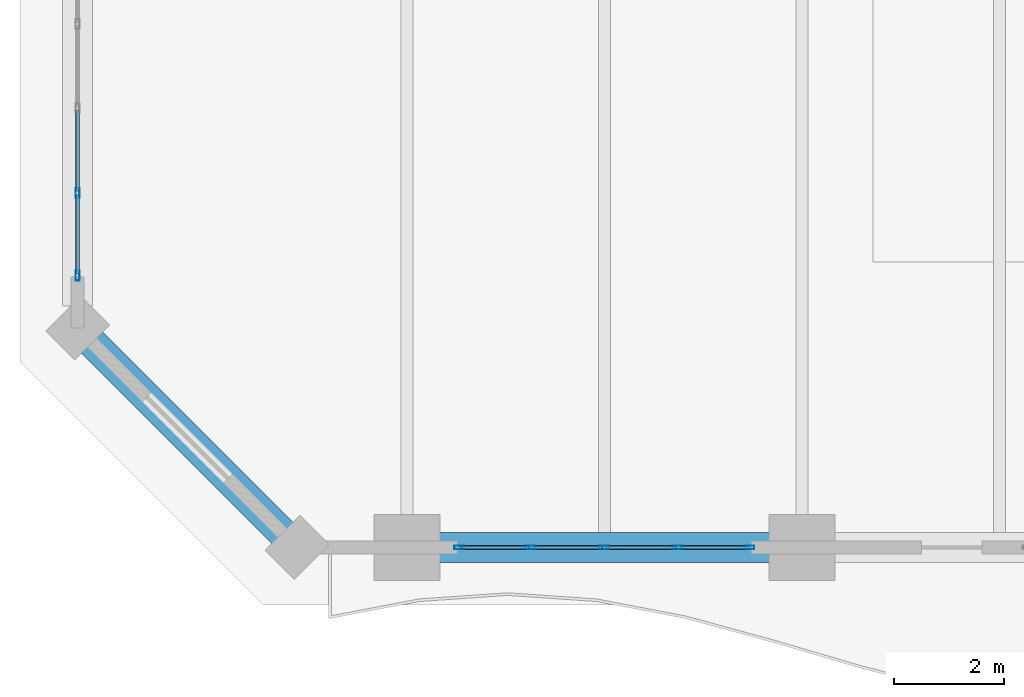
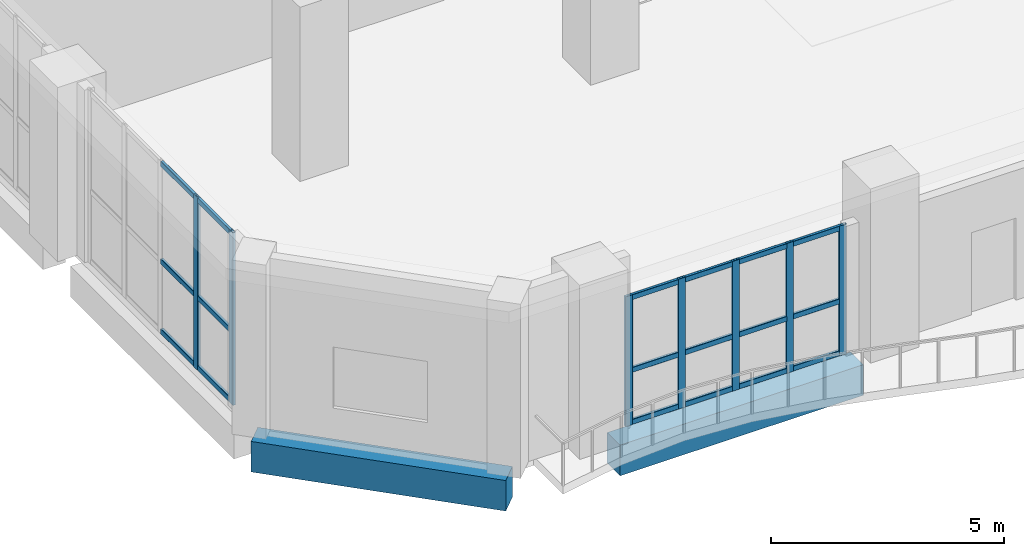
# One storey, part 2 of 37: 25 members, 2 beams, 2 elements without a shape of their own.
"""IFC4 building model written with IfcOpenShell, lengths in metres."""

import ifcopenshell
import ifcopenshell.guid

model = None  # the IFC model being written
_history = None  # IfcOwnerHistory: only IFC2X3 demands one
_inside = {}  # id of a spatial element -> (the spatial element, [elements in it])
_under = {}  # id of a project, library or spatial element -> (it, [spatial elements below it])
_declared = {}  # id of a project -> (the project, [libraries it declares])
_typed = {}  # id of a type object -> (the type object, [elements of that type])
_made_of = {}  # id of a material, layer set ... -> (it, [elements and type objects made of it])


def new_model(schema):
    """Start an empty IFC model of exactly this schema.

    Asked for "IFC4X3", IfcOpenShell would pick the latest addendum, in which some entities
    have other attributes; the version numbers below select the first issue.
    IFC2X3 requires an IfcOwnerHistory on every rooted entity: one is made here for all.
    """
    global model, _history
    if schema == "IFC4X3":
        model = ifcopenshell.file(schema_version=(4, 3, 0, 0))
    else:
        model = ifcopenshell.file(schema=schema)
    _inside.clear()
    _under.clear()
    _declared.clear()
    _typed.clear()
    _made_of.clear()
    _history = None
    if model.schema == "IFC2X3":
        org = make("IfcOrganization", Name="unknown")
        user = make(
            "IfcPersonAndOrganization",
            ThePerson=make("IfcPerson", FamilyName="unknown"),
            TheOrganization=org,
        )
        app = make(
            "IfcApplication",
            ApplicationDeveloper=org,
            Version="unknown",
            ApplicationFullName="unknown",
            ApplicationIdentifier="unknown",
        )
        _history = make(
            "IfcOwnerHistory",
            OwningUser=user,
            OwningApplication=app,
            ChangeAction="ADDED",
            CreationDate=0,
        )
    return model


def make(cls, **values):
    """One entity of the class cls with the attributes given. An attribute that is None is left unset."""
    return model.create_entity(
        cls, **{name: value for name, value in values.items() if value is not None}
    )


def rooted(cls, **values):
    """An entity with a GlobalId (a new one), such as an element, a storey or a relation."""
    return make(cls, GlobalId=ifcopenshell.guid.new(), OwnerHistory=_history, **values)


def si_unit(unit_type, name, prefix=None):
    """IfcSIUnit, for example si_unit("LENGTHUNIT", "METRE", prefix="MILLI")."""
    return make("IfcSIUnit", UnitType=unit_type, Prefix=prefix, Name=name)


def assignment(units):
    """IfcUnitAssignment: the units of a project."""
    return None if units is None else make("IfcUnitAssignment", Units=units)


def point(xyz):
    """IfcCartesianPoint."""
    return None if xyz is None else make("IfcCartesianPoint", Coordinates=xyz)


def direction(xyz):
    """IfcDirection."""
    return None if xyz is None else make("IfcDirection", DirectionRatios=xyz)


def frame(location, z_axis=None, x_axis=None):
    """IfcAxis2Placement3D, a coordinate frame: its origin and axes. An axis left out is left unset."""
    return make(
        "IfcAxis2Placement3D",
        Location=point(location),
        Axis=direction(z_axis),
        RefDirection=direction(x_axis),
    )


def frame_2d(location, x_axis=None):
    """IfcAxis2Placement2D, a coordinate frame in the plane: its origin and x axis."""
    return make(
        "IfcAxis2Placement2D", Location=point(location), RefDirection=direction(x_axis)
    )


def origin():
    """The frame at (0, 0, 0) with its axes left unset."""
    return frame((0.0, 0.0, 0.0))


def origin_2d():
    """The frame at (0, 0) in the plane with its x axis left unset."""
    return frame_2d((0.0, 0.0))


def place(relative_to, where):
    """IfcLocalPlacement: puts the frame where relative to a parent placement (None: the world)."""
    return make(
        "IfcLocalPlacement", PlacementRelTo=relative_to, RelativePlacement=where
    )


def context(
    kind, dimensions, precision=None, world=None, true_north=None, identifier=None
):
    """IfcGeometricRepresentationContext, for example the 3D "Model" context."""
    return make(
        "IfcGeometricRepresentationContext",
        ContextIdentifier=identifier,
        ContextType=kind,
        CoordinateSpaceDimension=dimensions,
        Precision=precision,
        WorldCoordinateSystem=world,
        TrueNorth=true_north,
    )


def subcontext(parent, identifier, kind, view, scale=None):
    """IfcGeometricRepresentationSubContext, for example "Body" below "Model"."""
    return make(
        "IfcGeometricRepresentationSubContext",
        ContextIdentifier=identifier,
        ContextType=kind,
        ParentContext=parent,
        TargetScale=scale,
        TargetView=view,
    )


def project(units=None, contexts=None):
    """IfcProject with its units and contexts."""
    return rooted(
        "IfcProject",
        Name="project",
        RepresentationContexts=contexts,
        UnitsInContext=assignment(units),
    )


def spatial(cls, under=None, at=None, **own):
    """A site, building, storey or space (cls), placed at a placement, below another one or the project."""
    s = rooted(cls, ObjectPlacement=at, **own)
    if under is not None:
        _under.setdefault(under.id(), (under, []))[1].append(s)
    return s


def profile(cls, at=None, kind="AREA", **sizes):
    """A parametric profile (cls). Its sizes go by their IFC names, for example OverallWidth=200.0."""
    return make(cls, ProfileType=kind, Position=at, **sizes)


def rectangle(**sizes):
    """IfcRectangleProfileDef."""
    return profile("IfcRectangleProfileDef", **sizes)


def hollow_rectangle(**sizes):
    """IfcRectangleHollowProfileDef."""
    return profile("IfcRectangleHollowProfileDef", **sizes)


def extrude(swept, where, along, depth):
    """IfcExtrudedAreaSolid: the profile swept, set in the frame where, extruded along a direction by depth."""
    return make(
        "IfcExtrudedAreaSolid",
        SweptArea=swept,
        Position=where,
        ExtrudedDirection=direction(along),
        Depth=depth,
    )


def shape(context_of_items, identifier, shape_type, items):
    """IfcShapeRepresentation: the items that make up one representation, for example the "Body"."""
    return make(
        "IfcShapeRepresentation",
        ContextOfItems=context_of_items,
        RepresentationIdentifier=identifier,
        RepresentationType=shape_type,
        Items=items,
    )


def material(Name=None, Category=None):
    """IfcMaterial."""
    return make("IfcMaterial", Name=Name, Category=Category)


def layer(
    of_material, thickness, ventilated=None, Name=None, Category=None, Priority=None
):
    """IfcMaterialLayer: one layer of a wall or slab, of a material (None: an air gap)."""
    return make(
        "IfcMaterialLayer",
        Material=of_material,
        LayerThickness=thickness,
        IsVentilated=ventilated,
        Name=Name,
        Category=Category,
        Priority=Priority,
    )


def layer_set(layers, Name=None):
    """IfcMaterialLayerSet."""
    return make("IfcMaterialLayerSet", MaterialLayers=layers, LayerSetName=Name)


def material_profile(
    of_material, cross_section, Name=None, Category=None, Priority=None
):
    """IfcMaterialProfile: a cross section and its material."""
    return make(
        "IfcMaterialProfile",
        Name=Name,
        Material=of_material,
        Profile=cross_section,
        Priority=Priority,
        Category=Category,
    )


def profile_set(profiles, Name=None, composite=None):
    """IfcMaterialProfileSet."""
    return make(
        "IfcMaterialProfileSet",
        Name=Name,
        MaterialProfiles=profiles,
        CompositeProfile=composite,
    )


def made_of(thing, what):
    """Note that an element or type object is made of a material, layer set ...; save() writes the relation."""
    if what is not None:
        _made_of.setdefault(what.id(), (what, []))[1].append(thing)
    return thing


def type_object(cls, material=None, **own):
    """A type object (cls), such as IfcWallType, which elements share."""
    return made_of(rooted(cls, **own), material)


def element(
    cls,
    number,
    at=None,
    inside=None,
    cuts=None,
    type_object=None,
    material=None,
    context=None,
    identifier="Body",
    shape_type=None,
    held_by="IfcProductDefinitionShape",
    body=None,
    shapes=None,
    **own,
):
    """One element of the class cls, such as IfcWall. Its Tag is "e" and its number.

    at: its placement. inside: the storey or other place that contains it. cuts: it is an
    opening in that element (IfcRelVoidsElement). A single representation is given by context,
    identifier, shape_type and body (its items); several are given by shapes. held_by: the class
    of the entity that holds the representations. save() writes the other relations.
    """
    e = rooted(cls, Tag="e%d" % number, ObjectPlacement=at, **own)
    if body is not None:
        shapes = [shape(context, identifier, shape_type, body)]
    if shapes is not None:
        e.Representation = make(held_by, Representations=shapes)
    if inside is not None:
        _inside.setdefault(inside.id(), (inside, []))[1].append(e)
    if cuts is not None:
        rooted(
            "IfcRelVoidsElement", RelatingBuildingElement=cuts, RelatedOpeningElement=e
        )
    if type_object is not None:
        _typed.setdefault(type_object.id(), (type_object, []))[1].append(e)
    return made_of(e, material)


def aggregate(whole, parts):
    """IfcRelAggregates: a whole, such as a stair, and the parts it consists of."""
    return rooted("IfcRelAggregates", RelatingObject=whole, RelatedObjects=parts)


def save(model, path):
    """Write the relations noted so far, then the file.

    IfcRelAggregates (storeys below a building ...), IfcRelContainedInSpatialStructure (elements
    in a storey), IfcRelDefinesByType, IfcRelAssociatesMaterial and IfcRelDeclares: one each for
    every whole, place, type object, material and project.
    """
    for whole, parts in _under.values():
        aggregate(whole, parts)
    for where, things in _inside.values():
        rooted(
            "IfcRelContainedInSpatialStructure",
            RelatedElements=things,
            RelatingStructure=where,
        )
    for kind, things in _typed.values():
        rooted("IfcRelDefinesByType", RelatedObjects=things, RelatingType=kind)
    for what, things in _made_of.values():
        rooted("IfcRelAssociatesMaterial", RelatedObjects=things, RelatingMaterial=what)
    for by, libraries in _declared.values():
        rooted("IfcRelDeclares", RelatingContext=by, RelatedDefinitions=libraries)
    model.write(path)


model = new_model("IFC4")

# Units and contexts
model_context = context("Model", 3, precision=1e-05, world=origin(), true_north=direction((0.0, 1.0)))
body_context = subcontext(model_context, "Body", "Model", "MODEL_VIEW")
ifc_project = project(units=[si_unit("LENGTHUNIT", "METRE"), si_unit("AREAUNIT", "SQUARE_METRE"), si_unit("VOLUMEUNIT", "CUBIC_METRE"), si_unit("PLANEANGLEUNIT", "RADIAN"), si_unit("MASSUNIT", "GRAM", prefix="KILO")], contexts=[model_context])

# Site, building, storey
site_placement = place(None, origin())
site = spatial("IfcSite", under=ifc_project, at=site_placement, CompositionType="ELEMENT")
building_placement = place(site_placement, origin())
building = spatial("IfcBuilding", under=site, at=building_placement, Name="Kaelvorn Grand Hotel", CompositionType="ELEMENT")
storey_placement = place(building_placement, frame((0.0, 0.0, 224.35009765625)))
storey = spatial("IfcBuildingStorey", under=building, at=storey_placement, Name="L55", CompositionType="ELEMENT", Elevation=224.35009765625)

# Beams
ifc_material_1 = material(Name="Concrete C50/60", Category="concrete")
ifc_material_profile_1 = material_profile(ifc_material_1, rectangle(XDim=0.550048828125, YDim=0.800048828125, at=origin_2d()), Name="RC SPANDREL 550x800")
ifc_profile_set_1 = profile_set([ifc_material_profile_1], Name="Concrete C50/60")
beam_type = type_object("IfcBeamType", Name="BM-SP-550x800-C50", PredefinedType="SPANDREL", material=ifc_profile_set_1)
beam_1_placement = place(storey_placement, frame((9.5849609375, 3.0, -0.64013671875), z_axis=(1.0, 0.0, 0.0), x_axis=(0.0, 1.0, 0.0)))
element("IfcBeam", 1, at=beam_1_placement, inside=storey, type_object=beam_type, Name="L55 South Perimeter Spandrel 02", PredefinedType="SPANDREL", context=body_context, shape_type="SweptSolid", body=[
    extrude(rectangle(XDim=0.550048828125, YDim=0.800048828125, at=origin_2d()), origin(), (0.0, 0.0, 1.0), 6.030029296875),
])
beam_2_placement = place(storey_placement, frame((3.0, 7.0, -0.64013671875), z_axis=(0.707106781187, -0.707106781187, 0.0), x_axis=(0.707106781187, 0.707106781187, 0.0)))
element("IfcBeam", 2, at=beam_2_placement, inside=storey, type_object=beam_type, Name="L55 Chamfer Spandrel Beam 4", PredefinedType="SPANDREL", context=body_context, shape_type="SweptSolid", body=[
    extrude(rectangle(XDim=0.550048828125, YDim=0.800048828125, at=origin_2d()), origin(), (0.0, 0.0, 1.0), 5.65673828125),
])

# Curtain wall, members
ifc_material_2 = material(Name="Anodised Aluminium", Category="aluminium")
ifc_layer = layer(ifc_material_2, 0.179931640625)
ifc_layer_set = layer_set([ifc_layer], Name="Anodised Aluminium")
curtain_wall_type = type_object("IfcCurtainWallType", Name="CW-SYS4", PredefinedType="NOTDEFINED", material=ifc_layer_set)
curtain_wall_1_placement = place(storey_placement, origin())
curtain_wall_1 = element("IfcCurtainWall", 3, at=curtain_wall_1_placement, inside=storey, type_object=curtain_wall_type, Name="L55 Unitised Curtain Wall CW4 (CW-L55-SB1-01)", PredefinedType="NOTDEFINED")
ifc_material_profile_2 = material_profile(ifc_material_2, hollow_rectangle(XDim=0.070068359375, YDim=0.179931640625, WallThickness=0.00390625, InnerFilletRadius=0.00390625, OuterFilletRadius=0.008056640625, at=origin_2d()), Name="ALU MULL 70x180")
ifc_profile_set_2 = profile_set([ifc_material_profile_2], Name="Anodised Aluminium")
member_type_1 = type_object("IfcMemberType", Name="CW-SYS4-MULL", PredefinedType="MULLION", material=ifc_profile_set_2)
member_1_placement = place(storey_placement, frame((9.955078125, 3.0, 0.0), z_axis=(0.0, 0.0, 1.0), x_axis=(0.0, 1.0, 0.0)))
member_1 = element("IfcMember", 4, at=member_1_placement, type_object=member_type_1, Name="CW4 mullion 1", PredefinedType="MULLION", context=body_context, shape_type="SweptSolid", body=[
    extrude(hollow_rectangle(XDim=0.070068359375, YDim=0.179931640625, WallThickness=0.00390625, InnerFilletRadius=0.00390625, OuterFilletRadius=0.008056640625, at=origin_2d()), origin(), (0.0, 0.0, 1.0), 3.39990234375),
])
member_2_placement = place(storey_placement, frame((11.260009765625, 3.0, 0.0), z_axis=(0.0, 0.0, 1.0), x_axis=(0.0, 1.0, 0.0)))
member_2 = element("IfcMember", 5, at=member_2_placement, type_object=member_type_1, Name="CW4 mullion 2", PredefinedType="MULLION", context=body_context, shape_type="SweptSolid", body=[
    extrude(hollow_rectangle(XDim=0.070068359375, YDim=0.179931640625, WallThickness=0.00390625, InnerFilletRadius=0.00390625, OuterFilletRadius=0.008056640625, at=origin_2d()), origin(), (0.0, 0.0, 1.0), 3.39990234375),
])
member_3_placement = place(storey_placement, frame((12.60009765625, 3.0, 0.0), z_axis=(0.0, 0.0, 1.0), x_axis=(0.0, 1.0, 0.0)))
member_3 = element("IfcMember", 6, at=member_3_placement, type_object=member_type_1, Name="CW4 mullion 3", PredefinedType="MULLION", context=body_context, shape_type="SweptSolid", body=[
    extrude(hollow_rectangle(XDim=0.070068359375, YDim=0.179931640625, WallThickness=0.00390625, InnerFilletRadius=0.00390625, OuterFilletRadius=0.008056640625, at=origin_2d()), origin(), (0.0, 0.0, 1.0), 3.39990234375),
])
member_4_placement = place(storey_placement, frame((13.93994140625, 3.0, 0.0), z_axis=(0.0, 0.0, 1.0), x_axis=(0.0, 1.0, 0.0)))
member_4 = element("IfcMember", 7, at=member_4_placement, type_object=member_type_1, Name="CW4 mullion 4", PredefinedType="MULLION", context=body_context, shape_type="SweptSolid", body=[
    extrude(hollow_rectangle(XDim=0.070068359375, YDim=0.179931640625, WallThickness=0.00390625, InnerFilletRadius=0.00390625, OuterFilletRadius=0.008056640625, at=origin_2d()), origin(), (0.0, 0.0, 1.0), 3.39990234375),
])
member_5_placement = place(storey_placement, frame((15.2451171875, 3.0, 0.0), z_axis=(0.0, 0.0, 1.0), x_axis=(0.0, 1.0, 0.0)))
member_5 = element("IfcMember", 8, at=member_5_placement, type_object=member_type_1, Name="CW4 mullion 5", PredefinedType="MULLION", context=body_context, shape_type="SweptSolid", body=[
    extrude(hollow_rectangle(XDim=0.070068359375, YDim=0.179931640625, WallThickness=0.00390625, InnerFilletRadius=0.00390625, OuterFilletRadius=0.008056640625, at=origin_2d()), origin(), (0.0, 0.0, 1.0), 3.39990234375),
])

curtain_wall_2_placement = place(storey_placement, origin())
curtain_wall_2 = element("IfcCurtainWall", 9, at=curtain_wall_2_placement, inside=storey, type_object=curtain_wall_type, Name="L55 Unitised Curtain Wall CW4 (CW-L55-W-01)", PredefinedType="NOTDEFINED")
member_6_placement = place(storey_placement, frame((3.0, 9.4599609375, 0.0), z_axis=(0.0, 0.0, 1.0), x_axis=(1.0, 0.0, 0.0)))
member_6 = element("IfcMember", 10, at=member_6_placement, type_object=member_type_1, Name="CW4 mullion 4", PredefinedType="MULLION", context=body_context, shape_type="SweptSolid", body=[
    extrude(hollow_rectangle(XDim=0.070068359375, YDim=0.179931640625, WallThickness=0.00390625, InnerFilletRadius=0.00390625, OuterFilletRadius=0.008056640625, at=origin_2d()), origin(), (0.0, 0.0, 1.0), 4.52001953125),
])
member_7_placement = place(storey_placement, frame((3.0, 7.955078125, 0.0), z_axis=(0.0, 0.0, 1.0), x_axis=(1.0, 0.0, 0.0)))
member_7 = element("IfcMember", 11, at=member_7_placement, type_object=member_type_1, Name="CW4 mullion 5", PredefinedType="MULLION", context=body_context, shape_type="SweptSolid", body=[
    extrude(hollow_rectangle(XDim=0.070068359375, YDim=0.179931640625, WallThickness=0.00390625, InnerFilletRadius=0.00390625, OuterFilletRadius=0.008056640625, at=origin_2d()), origin(), (0.0, 0.0, 1.0), 4.52001953125),
])

# Member
ifc_material_profile_3 = material_profile(ifc_material_2, hollow_rectangle(XDim=0.070068359375, YDim=0.135009765625, WallThickness=0.00341796875, InnerFilletRadius=0.00341796875, OuterFilletRadius=0.007080078125, at=origin_2d()), Name="ALU TRAN 70x135")
ifc_profile_set_3 = profile_set([ifc_material_profile_3], Name="Anodised Aluminium")
member_type_2 = type_object("IfcMemberType", Name="CW-SYS4-TRAN", PredefinedType="NOTDEFINED", material=ifc_profile_set_3)
member_8_placement = place(storey_placement, frame((9.989990234375, 3.0, 0.0673828125), z_axis=(1.0, 0.0, 0.0), x_axis=(0.0, 1.0, 0.0)))
member_8 = element("IfcMember", 12, at=member_8_placement, type_object=member_type_2, Name="CW4 transom 1.1", ObjectType="TRANSOM", PredefinedType="USERDEFINED", context=body_context, shape_type="SweptSolid", body=[
    extrude(hollow_rectangle(XDim=0.070068359375, YDim=0.135009765625, WallThickness=0.00341796875, InnerFilletRadius=0.00341796875, OuterFilletRadius=0.007080078125, at=origin_2d()), origin(), (0.0, 0.0, 1.0), 1.235107421875),
])

member_9_placement = place(storey_placement, frame((9.989990234375, 3.0, 1.427978515625), z_axis=(1.0, 0.0, 0.0), x_axis=(0.0, 1.0, 0.0)))
member_9 = element("IfcMember", 13, at=member_9_placement, type_object=member_type_2, Name="CW4 transom 1.2", ObjectType="TRANSOM", PredefinedType="USERDEFINED", context=body_context, shape_type="SweptSolid", body=[
    extrude(hollow_rectangle(XDim=0.070068359375, YDim=0.135009765625, WallThickness=0.00341796875, InnerFilletRadius=0.00341796875, OuterFilletRadius=0.007080078125, at=origin_2d()), origin(), (0.0, 0.0, 1.0), 1.235107421875),
])

member_10_placement = place(storey_placement, frame((9.989990234375, 3.0, 3.33251953125), z_axis=(1.0, 0.0, 0.0), x_axis=(0.0, 1.0, 0.0)))
member_10 = element("IfcMember", 14, at=member_10_placement, type_object=member_type_2, Name="CW4 transom 1.3", ObjectType="TRANSOM", PredefinedType="USERDEFINED", context=body_context, shape_type="SweptSolid", body=[
    extrude(hollow_rectangle(XDim=0.070068359375, YDim=0.135009765625, WallThickness=0.00341796875, InnerFilletRadius=0.00341796875, OuterFilletRadius=0.007080078125, at=origin_2d()), origin(), (0.0, 0.0, 1.0), 1.235107421875),
])

member_11_placement = place(storey_placement, frame((11.294921875, 3.0, 0.0673828125), z_axis=(1.0, 0.0, 0.0), x_axis=(0.0, 1.0, 0.0)))
member_11 = element("IfcMember", 15, at=member_11_placement, type_object=member_type_2, Name="CW4 transom 2.1", ObjectType="TRANSOM", PredefinedType="USERDEFINED", context=body_context, shape_type="SweptSolid", body=[
    extrude(hollow_rectangle(XDim=0.070068359375, YDim=0.135009765625, WallThickness=0.00341796875, InnerFilletRadius=0.00341796875, OuterFilletRadius=0.007080078125, at=origin_2d()), origin(), (0.0, 0.0, 1.0), 1.27001953125),
])

member_12_placement = place(storey_placement, frame((11.294921875, 3.0, 1.427978515625), z_axis=(1.0, 0.0, 0.0), x_axis=(0.0, 1.0, 0.0)))
member_12 = element("IfcMember", 16, at=member_12_placement, type_object=member_type_2, Name="CW4 transom 2.2", ObjectType="TRANSOM", PredefinedType="USERDEFINED", context=body_context, shape_type="SweptSolid", body=[
    extrude(hollow_rectangle(XDim=0.070068359375, YDim=0.135009765625, WallThickness=0.00341796875, InnerFilletRadius=0.00341796875, OuterFilletRadius=0.007080078125, at=origin_2d()), origin(), (0.0, 0.0, 1.0), 1.27001953125),
])

member_13_placement = place(storey_placement, frame((11.294921875, 3.0, 3.33251953125), z_axis=(1.0, 0.0, 0.0), x_axis=(0.0, 1.0, 0.0)))
member_13 = element("IfcMember", 17, at=member_13_placement, type_object=member_type_2, Name="CW4 transom 2.3", ObjectType="TRANSOM", PredefinedType="USERDEFINED", context=body_context, shape_type="SweptSolid", body=[
    extrude(hollow_rectangle(XDim=0.070068359375, YDim=0.135009765625, WallThickness=0.00341796875, InnerFilletRadius=0.00341796875, OuterFilletRadius=0.007080078125, at=origin_2d()), origin(), (0.0, 0.0, 1.0), 1.27001953125),
])

member_14_placement = place(storey_placement, frame((12.635009765625, 3.0, 0.0673828125), z_axis=(1.0, 0.0, 0.0), x_axis=(0.0, 1.0, 0.0)))
member_14 = element("IfcMember", 18, at=member_14_placement, type_object=member_type_2, Name="CW4 transom 3.1", ObjectType="TRANSOM", PredefinedType="USERDEFINED", context=body_context, shape_type="SweptSolid", body=[
    extrude(hollow_rectangle(XDim=0.070068359375, YDim=0.135009765625, WallThickness=0.00341796875, InnerFilletRadius=0.00341796875, OuterFilletRadius=0.007080078125, at=origin_2d()), origin(), (0.0, 0.0, 1.0), 1.27001953125),
])

member_15_placement = place(storey_placement, frame((12.635009765625, 3.0, 1.427978515625), z_axis=(1.0, 0.0, 0.0), x_axis=(0.0, 1.0, 0.0)))
member_15 = element("IfcMember", 19, at=member_15_placement, type_object=member_type_2, Name="CW4 transom 3.2", ObjectType="TRANSOM", PredefinedType="USERDEFINED", context=body_context, shape_type="SweptSolid", body=[
    extrude(hollow_rectangle(XDim=0.070068359375, YDim=0.135009765625, WallThickness=0.00341796875, InnerFilletRadius=0.00341796875, OuterFilletRadius=0.007080078125, at=origin_2d()), origin(), (0.0, 0.0, 1.0), 1.27001953125),
])

member_16_placement = place(storey_placement, frame((12.635009765625, 3.0, 3.33251953125), z_axis=(1.0, 0.0, 0.0), x_axis=(0.0, 1.0, 0.0)))
member_16 = element("IfcMember", 20, at=member_16_placement, type_object=member_type_2, Name="CW4 transom 3.3", ObjectType="TRANSOM", PredefinedType="USERDEFINED", context=body_context, shape_type="SweptSolid", body=[
    extrude(hollow_rectangle(XDim=0.070068359375, YDim=0.135009765625, WallThickness=0.00341796875, InnerFilletRadius=0.00341796875, OuterFilletRadius=0.007080078125, at=origin_2d()), origin(), (0.0, 0.0, 1.0), 1.27001953125),
])

member_17_placement = place(storey_placement, frame((13.97509765625, 3.0, 0.0673828125), z_axis=(1.0, 0.0, 0.0), x_axis=(0.0, 1.0, 0.0)))
member_17 = element("IfcMember", 21, at=member_17_placement, type_object=member_type_2, Name="CW4 transom 4.1", ObjectType="TRANSOM", PredefinedType="USERDEFINED", context=body_context, shape_type="SweptSolid", body=[
    extrude(hollow_rectangle(XDim=0.070068359375, YDim=0.135009765625, WallThickness=0.00341796875, InnerFilletRadius=0.00341796875, OuterFilletRadius=0.007080078125, at=origin_2d()), origin(), (0.0, 0.0, 1.0), 1.23486328125),
])

member_18_placement = place(storey_placement, frame((13.97509765625, 3.0, 1.427978515625), z_axis=(1.0, 0.0, 0.0), x_axis=(0.0, 1.0, 0.0)))
member_18 = element("IfcMember", 22, at=member_18_placement, type_object=member_type_2, Name="CW4 transom 4.2", ObjectType="TRANSOM", PredefinedType="USERDEFINED", context=body_context, shape_type="SweptSolid", body=[
    extrude(hollow_rectangle(XDim=0.070068359375, YDim=0.135009765625, WallThickness=0.00341796875, InnerFilletRadius=0.00341796875, OuterFilletRadius=0.007080078125, at=origin_2d()), origin(), (0.0, 0.0, 1.0), 1.23486328125),
])

member_19_placement = place(storey_placement, frame((13.97509765625, 3.0, 3.33251953125), z_axis=(1.0, 0.0, 0.0), x_axis=(0.0, 1.0, 0.0)))
member_19 = element("IfcMember", 23, at=member_19_placement, type_object=member_type_2, Name="CW4 transom 4.3", ObjectType="TRANSOM", PredefinedType="USERDEFINED", context=body_context, shape_type="SweptSolid", body=[
    extrude(hollow_rectangle(XDim=0.070068359375, YDim=0.135009765625, WallThickness=0.00341796875, InnerFilletRadius=0.00341796875, OuterFilletRadius=0.007080078125, at=origin_2d()), origin(), (0.0, 0.0, 1.0), 1.23486328125),
])

aggregate(curtain_wall_1, [member_1, member_2, member_3, member_4, member_5, member_8, member_9, member_10, member_11, member_12, member_13, member_14, member_15, member_16, member_17, member_18, member_19])

member_20_placement = place(storey_placement, frame((3.0, 10.965087890625, 0.0673828125), z_axis=(0.0, -1.0, 0.0), x_axis=(1.0, 0.0, 0.0)))
member_20 = element("IfcMember", 24, at=member_20_placement, type_object=member_type_2, Name="CW4 transom 3.1", ObjectType="TRANSOM", PredefinedType="USERDEFINED", context=body_context, shape_type="SweptSolid", body=[
    extrude(hollow_rectangle(XDim=0.070068359375, YDim=0.135009765625, WallThickness=0.00341796875, InnerFilletRadius=0.00341796875, OuterFilletRadius=0.007080078125, at=origin_2d()), origin(), (0.0, 0.0, 1.0), 1.469970703125),
])

member_21_placement = place(storey_placement, frame((3.0, 10.965087890625, 1.898193359375), z_axis=(0.0, -1.0, 0.0), x_axis=(1.0, 0.0, 0.0)))
member_21 = element("IfcMember", 25, at=member_21_placement, type_object=member_type_2, Name="CW4 transom 3.2", ObjectType="TRANSOM", PredefinedType="USERDEFINED", context=body_context, shape_type="SweptSolid", body=[
    extrude(hollow_rectangle(XDim=0.070068359375, YDim=0.135009765625, WallThickness=0.00341796875, InnerFilletRadius=0.00341796875, OuterFilletRadius=0.007080078125, at=origin_2d()), origin(), (0.0, 0.0, 1.0), 1.469970703125),
])

member_22_placement = place(storey_placement, frame((3.0, 10.965087890625, 4.452392578125), z_axis=(0.0, -1.0, 0.0), x_axis=(1.0, 0.0, 0.0)))
member_22 = element("IfcMember", 26, at=member_22_placement, type_object=member_type_2, Name="CW4 transom 3.3", ObjectType="TRANSOM", PredefinedType="USERDEFINED", context=body_context, shape_type="SweptSolid", body=[
    extrude(hollow_rectangle(XDim=0.070068359375, YDim=0.135009765625, WallThickness=0.00341796875, InnerFilletRadius=0.00341796875, OuterFilletRadius=0.007080078125, at=origin_2d()), origin(), (0.0, 0.0, 1.0), 1.469970703125),
])

member_23_placement = place(storey_placement, frame((3.0, 9.425048828125, 0.0673828125), z_axis=(0.0, -1.0, 0.0), x_axis=(1.0, 0.0, 0.0)))
member_23 = element("IfcMember", 27, at=member_23_placement, type_object=member_type_2, Name="CW4 transom 4.1", ObjectType="TRANSOM", PredefinedType="USERDEFINED", context=body_context, shape_type="SweptSolid", body=[
    extrude(hollow_rectangle(XDim=0.070068359375, YDim=0.135009765625, WallThickness=0.00341796875, InnerFilletRadius=0.00341796875, OuterFilletRadius=0.007080078125, at=origin_2d()), origin(), (0.0, 0.0, 1.0), 1.43505859375),
])

member_24_placement = place(storey_placement, frame((3.0, 9.425048828125, 1.898193359375), z_axis=(0.0, -1.0, 0.0), x_axis=(1.0, 0.0, 0.0)))
member_24 = element("IfcMember", 28, at=member_24_placement, type_object=member_type_2, Name="CW4 transom 4.2", ObjectType="TRANSOM", PredefinedType="USERDEFINED", context=body_context, shape_type="SweptSolid", body=[
    extrude(hollow_rectangle(XDim=0.070068359375, YDim=0.135009765625, WallThickness=0.00341796875, InnerFilletRadius=0.00341796875, OuterFilletRadius=0.007080078125, at=origin_2d()), origin(), (0.0, 0.0, 1.0), 1.43505859375),
])

member_25_placement = place(storey_placement, frame((3.0, 9.425048828125, 4.452392578125), z_axis=(0.0, -1.0, 0.0), x_axis=(1.0, 0.0, 0.0)))
member_25 = element("IfcMember", 29, at=member_25_placement, type_object=member_type_2, Name="CW4 transom 4.3", ObjectType="TRANSOM", PredefinedType="USERDEFINED", context=body_context, shape_type="SweptSolid", body=[
    extrude(hollow_rectangle(XDim=0.070068359375, YDim=0.135009765625, WallThickness=0.00341796875, InnerFilletRadius=0.00341796875, OuterFilletRadius=0.007080078125, at=origin_2d()), origin(), (0.0, 0.0, 1.0), 1.43505859375),
])

aggregate(curtain_wall_2, [member_6, member_7, member_20, member_21, member_22, member_23, member_24, member_25])

save(model, "model.ifc")
